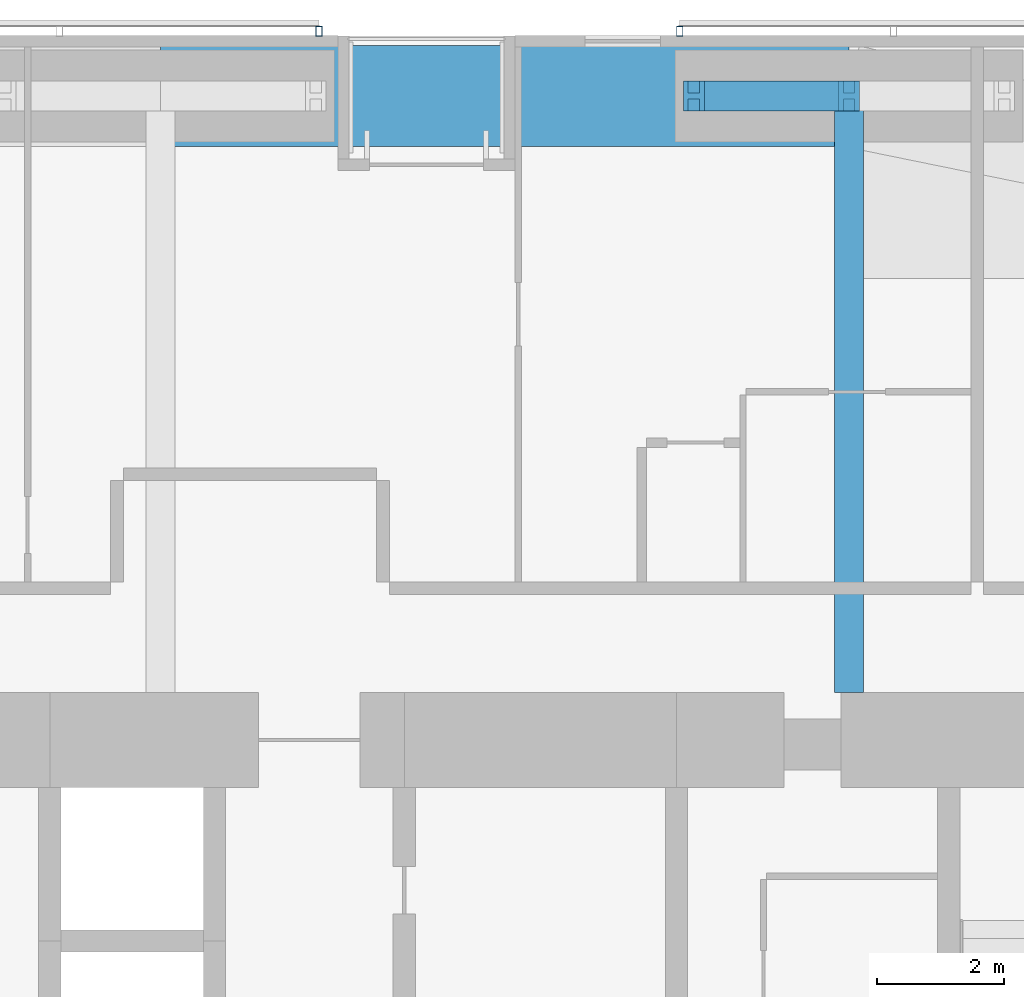
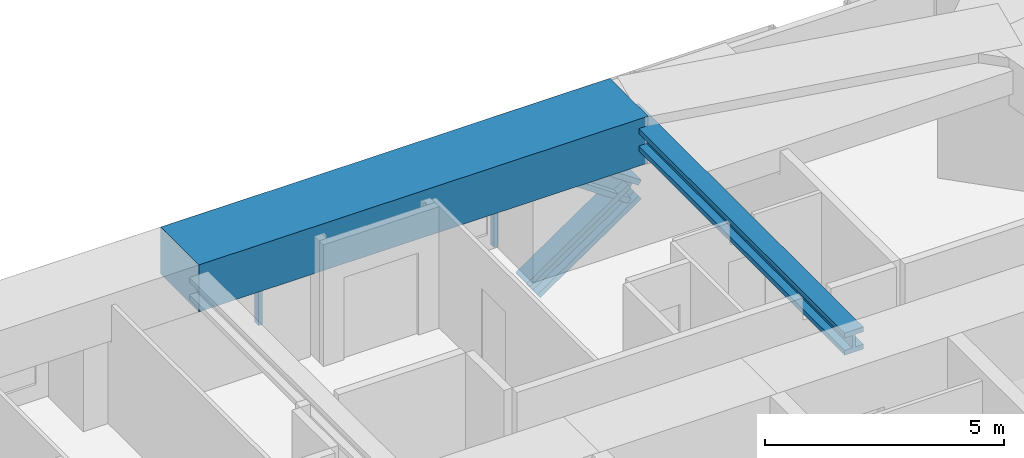
# One storey, part 13 of 23: 4 members, 2 beams, 2 elements without a shape of their own.
"""IFC4 building model written with IfcOpenShell, lengths in metres."""

from ifc_helpers import new_model, si_unit, direction, frame, origin, origin_2d, place, context, subcontext, project, spatial, rectangle, hollow_rectangle, i_section, extrude, material, material_profile, profile_set, type_object, element, aggregate, save


model = new_model("IFC4")

# Units and contexts
model_context = context("Model", 3, precision=1e-05, world=origin(), true_north=direction((0.0, 1.0)))
body_context = subcontext(model_context, "Body", "Model", "MODEL_VIEW")
ifc_project = project(units=[si_unit("LENGTHUNIT", "METRE"), si_unit("AREAUNIT", "SQUARE_METRE"), si_unit("VOLUMEUNIT", "CUBIC_METRE"), si_unit("PLANEANGLEUNIT", "RADIAN"), si_unit("MASSUNIT", "GRAM", prefix="KILO")], contexts=[model_context])

# Site, building, storey
site_placement = place(None, origin())
site = spatial("IfcSite", under=ifc_project, at=site_placement, CompositionType="ELEMENT")
building_placement = place(site_placement, origin())
building = spatial("IfcBuilding", under=site, at=building_placement, Name="Jalousie Tower", CompositionType="ELEMENT")
storey_placement = place(building_placement, frame((0.0, 0.0, 111.550048828125)))
storey = spatial("IfcBuildingStorey", under=building, at=storey_placement, Name="L30", CompositionType="ELEMENT", Elevation=111.550048828125)

# Beam
ifc_material_1 = material(Name="Steel ASTM A992 Grade 50", Category="steel")
ifc_material_profile_1 = material_profile(ifc_material_1, i_section(OverallWidth=0.45458984375, OverallDepth=0.569091796875, WebThickness=0.077880859375, FlangeThickness=0.124755859375, at=origin_2d()), Name="W14X730")
ifc_profile_set_1 = profile_set([ifc_material_profile_1], Name="Steel ASTM A992 Grade 50")
beam_type_1 = type_object("IfcBeamType", Name="LEAN COLLECTOR W14X730", PredefinedType="BEAM", material=ifc_profile_set_1)
beam_1_placement = place(storey_placement, frame((38.625, 37.050048828125, 2.825439453125), z_axis=(0.0, -1.0, 0.0), x_axis=(1.0, 0.0, 0.0)))
element("IfcBeam", 1, at=beam_1_placement, inside=storey, type_object=beam_type_1, Name="Lean collector under L31", PredefinedType="BEAM", context=body_context, shape_type="SweptSolid", body=[
    extrude(i_section(OverallWidth=0.45458984375, OverallDepth=0.569091796875, WebThickness=0.077880859375, FlangeThickness=0.124755859375, at=origin_2d()), origin(), (0.0, 0.0, 1.0), 9.425048828125),
])

# Members
ifc_material_2 = material(Name="Steel ASTM A992 Grade 50", Category="steel")
ifc_material_profile_2 = material_profile(ifc_material_2, i_section(OverallWidth=0.472412109375, OverallDepth=0.5791015625, WebThickness=0.094970703125, FlangeThickness=0.1298828125, at=origin_2d()), Name="W14X808")
ifc_profile_set_2 = profile_set([ifc_material_profile_2], Name="Steel ASTM A992 Grade 50")
member_type_1 = type_object("IfcMemberType", Name="PERIMETER BRACE W14X808", PredefinedType="BRACE", material=ifc_profile_set_2)
for number, where, z_axis, x_axis, name in (
    (2, (36.175048828125, 37.050048828125, -0.60009765625), (0.825500916831, 0.0, 0.564400776321), (0.0, 1.0, 0.0), "Perimeter brace 09 L30 part 1"),
    (3, (38.625, 37.050048828125, 1.074951171875), (-0.825500916831, 0.0, 0.564400776321), (0.0, -1.0, 0.0), "Perimeter brace 09 L30 part 4"),
):
    element("IfcMember", number, at=place(storey_placement, frame(where, z_axis=z_axis, x_axis=x_axis)), inside=storey, type_object=member_type_1, Name=name, PredefinedType="BRACE", context=body_context, shape_type="SweptSolid", body=[
        extrude(i_section(OverallWidth=0.472412109375, OverallDepth=0.5791015625, WebThickness=0.094970703125, FlangeThickness=0.1298828125, at=origin_2d()), origin(), (0.0, 0.0, 1.0), 2.9677734375),
    ])

# Beam
ifc_material_3 = material(Name="Concrete f'c 40 MPa", Category="concrete")
ifc_material_profile_3 = material_profile(ifc_material_3, rectangle(XDim=1.60009765625, YDim=1.199951171875, at=origin_2d()), Name="RC 1600x1200")
ifc_profile_set_3 = profile_set([ifc_material_profile_3], Name="Concrete f'c 40 MPa")
beam_type_2 = type_object("IfcBeamType", Name="RC BEAM 1600x1200", PredefinedType="BEAM", material=ifc_profile_set_3)
beam_2_placement = place(storey_placement, frame((38.625, 37.050048828125, 2.75), z_axis=(-1.0, 0.0, 0.0), x_axis=(0.0, -1.0, 0.0)))
element("IfcBeam", 4, at=beam_2_placement, inside=storey, type_object=beam_type_2, Name="Edge band beam 09-10 under L31", PredefinedType="BEAM", context=body_context, shape_type="SweptSolid", body=[
    extrude(rectangle(XDim=1.60009765625, YDim=1.199951171875, at=origin_2d()), origin(), (0.0, 0.0, 1.0), 10.875),
])

# Curtain wall, member
ifc_material_4 = material(Name="Perforated aluminium sheet", Category="aluminium")
curtain_wall_type = type_object("IfcCurtainWallType", Name="SOLAR SCREEN SS-1", PredefinedType="USERDEFINED", material=ifc_material_4)
curtain_wall_1_placement = place(storey_placement, origin())
curtain_wall_1 = element("IfcCurtainWall", 5, at=curtain_wall_1_placement, inside=storey, type_object=curtain_wall_type, Name="Solar screen L30", ObjectType="SOLAR SCREEN SS-1", PredefinedType="USERDEFINED")
ifc_material_5 = material(Name="Steel ASTM A500 Grade C", Category="steel")
ifc_material_profile_4 = material_profile(ifc_material_5, hollow_rectangle(XDim=0.1015625, YDim=0.15234375, WallThickness=0.00634765625, at=origin_2d()), Name="HSS6X4X1/4")
ifc_profile_set_4 = profile_set([ifc_material_profile_4], Name="Steel ASTM A500 Grade C")
member_type_2 = type_object("IfcMemberType", Name="SOLAR SCREEN SS-1 MULLION", PredefinedType="MULLION", material=ifc_profile_set_4)
member_1_placement = place(storey_placement, frame((35.950439453125, 38.0712890625, -0.1201171875), z_axis=(0.0, 0.0, 1.0), x_axis=(-1.0, 0.0, 0.0)))
member_1 = element("IfcMember", 6, at=member_1_placement, type_object=member_type_2, Name="SS1 post 3", PredefinedType="MULLION", context=body_context, shape_type="SweptSolid", body=[
    extrude(hollow_rectangle(XDim=0.1015625, YDim=0.15234375, WallThickness=0.00634765625, at=origin_2d()), origin(), (0.0, 0.0, 1.0), 3.22998046875),
])
aggregate(curtain_wall_1, [member_1])

curtain_wall_2_placement = place(storey_placement, origin())
curtain_wall_2 = element("IfcCurtainWall", 7, at=curtain_wall_2_placement, inside=storey, type_object=curtain_wall_type, Name="Solar screen L30", ObjectType="SOLAR SCREEN SS-1", PredefinedType="USERDEFINED")
member_2_placement = place(storey_placement, frame((30.25048828125, 38.0712890625, -0.1201171875), z_axis=(0.0, 0.0, 1.0), x_axis=(-1.0, 0.0, 0.0)))
member_2 = element("IfcMember", 8, at=member_2_placement, type_object=member_type_2, Name="SS1 post 1", PredefinedType="MULLION", context=body_context, shape_type="SweptSolid", body=[
    extrude(hollow_rectangle(XDim=0.1015625, YDim=0.15234375, WallThickness=0.00634765625, at=origin_2d()), origin(), (0.0, 0.0, 1.0), 3.22998046875),
])
aggregate(curtain_wall_2, [member_2])

save(model, "model.ifc")
